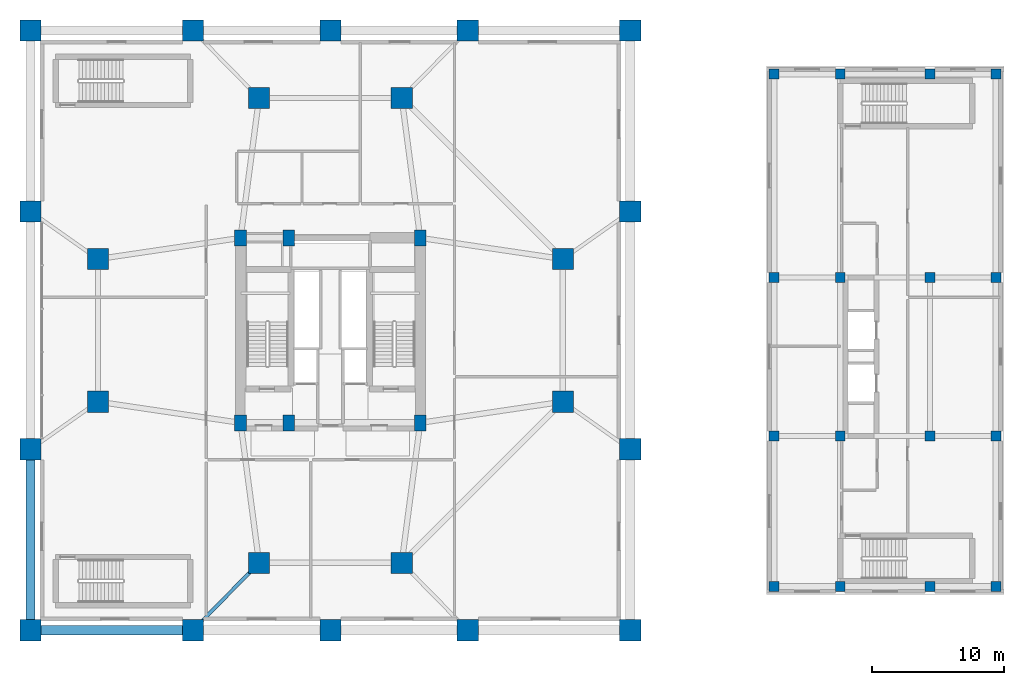
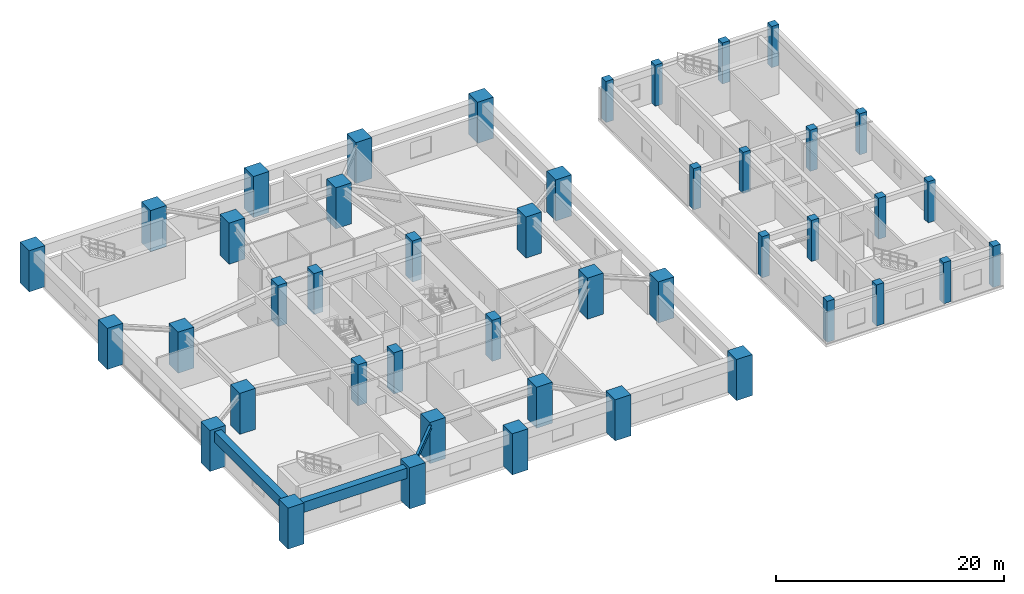
# One storey, part 1 of 16: 44 columns, 3 beams.
"""IFC4 building model written with IfcOpenShell, lengths in metres."""

from ifc_helpers import new_model, si_unit, direction, frame, origin, origin_2d, place, context, subcontext, project, spatial, rectangle, i_section, extrude, material, material_profile, profile_set, type_object, element, save


model = new_model("IFC4")

# Units and contexts
model_context = context("Model", 3, precision=1e-05, world=origin(), true_north=direction((0.0, 1.0)))
body_context = subcontext(model_context, "Body", "Model", "MODEL_VIEW")
ifc_project = project(units=[si_unit("LENGTHUNIT", "METRE"), si_unit("AREAUNIT", "SQUARE_METRE"), si_unit("VOLUMEUNIT", "CUBIC_METRE"), si_unit("PLANEANGLEUNIT", "RADIAN"), si_unit("MASSUNIT", "GRAM", prefix="KILO")], contexts=[model_context])

# Site, building, storey
site_placement = place(None, origin())
site = spatial("IfcSite", under=ifc_project, at=site_placement, CompositionType="ELEMENT")
building_placement = place(site_placement, origin())
building = spatial("IfcBuilding", under=site, at=building_placement, Name="Veraguas Prism Commons", CompositionType="ELEMENT")
storey_placement = place(building_placement, frame((0.0, 0.0, 14.0)))
storey = spatial("IfcBuildingStorey", under=building, at=storey_placement, Name="L03", CompositionType="ELEMENT", Elevation=14.0)

# Columns
ifc_material_1 = material(Name="Concrete C50/60", Category="concrete")
ifc_material_profile_1 = material_profile(ifc_material_1, rectangle(XDim=0.75, YDim=0.75, at=origin_2d()), Name="RC750X750")
ifc_profile_set_1 = profile_set([ifc_material_profile_1], Name="Concrete C50/60")
column_type_1 = type_object("IfcColumnType", Name="Column Clinic RC 750x750", PredefinedType="COLUMN", material=ifc_profile_set_1)
for number, where, z_axis, x_axis, name in (
    (1, (57.60009765625, 4.60009765625, 0.0), (0.0, 0.0, 1.0), (1.0, 0.0, 0.0), "Health Centre Column L03-HC01"),
    (2, (57.60009765625, 16.0, 0.0), (0.0, 0.0, 1.0), (1.0, 0.0, 0.0), "Health Centre Column L03-HC02"),
    (3, (57.60009765625, 28.0, 0.0), (0.0, 0.0, 1.0), (1.0, 0.0, 0.0), "Health Centre Column L03-HC03"),
    (4, (57.60009765625, 43.39990234375, 0.0), (0.0, 0.0, 1.0), (1.0, 0.0, 0.0), "Health Centre Column L03-HC04"),
    (5, (62.60009765625, 4.60009765625, 0.0), (0.0, 0.0, 1.0), (1.0, 0.0, 0.0), "Health Centre Column L03-HC05"),
    (6, (62.60009765625, 16.0, 0.0), (0.0, 0.0, 1.0), (1.0, 0.0, 0.0), "Health Centre Column L03-HC06"),
    (7, (62.60009765625, 28.0, 0.0), (0.0, 0.0, 1.0), (1.0, 0.0, 0.0), "Health Centre Column L03-HC07"),
    (8, (62.60009765625, 43.39990234375, 0.0), (0.0, 0.0, 1.0), (1.0, 0.0, 0.0), "Health Centre Column L03-HC08"),
    (9, (69.39990234375, 4.60009765625, 0.0), (0.0, 0.0, 1.0), (1.0, 0.0, 0.0), "Health Centre Column L03-HC09"),
    (10, (69.39990234375, 16.0, 0.0), (0.0, 0.0, 1.0), (1.0, 0.0, 0.0), "Health Centre Column L03-HC10"),
    (11, (69.39990234375, 28.0, 0.0), (0.0, 0.0, 1.0), (1.0, 0.0, 0.0), "Health Centre Column L03-HC11"),
    (12, (69.39990234375, 43.39990234375, 0.0), (0.0, 0.0, 1.0), (1.0, 0.0, 0.0), "Health Centre Column L03-HC12"),
    (13, (74.39990234375, 4.60009765625, 0.0), (0.0, 0.0, 1.0), (1.0, 0.0, 0.0), "Health Centre Column L03-HC13"),
    (14, (74.39990234375, 16.0, 0.0), (0.0, 0.0, 1.0), (1.0, 0.0, 0.0), "Health Centre Column L03-HC14"),
    (15, (74.39990234375, 28.0, 0.0), (0.0, 0.0, 1.0), (1.0, 0.0, 0.0), "Health Centre Column L03-HC15"),
    (16, (74.39990234375, 43.39990234375, 0.0), (0.0, 0.0, 1.0), (1.0, 0.0, 0.0), "Health Centre Column L03-HC16"),
):
    element("IfcColumn", number, at=place(storey_placement, frame(where, z_axis=z_axis, x_axis=x_axis)), inside=storey, type_object=column_type_1, Name=name, PredefinedType="COLUMN", context=body_context, shape_type="SweptSolid", body=[
        extrude(rectangle(XDim=0.75, YDim=0.75, at=origin_2d()), origin(), (0.0, 0.0, 1.0), 4.39990234375),
    ])
ifc_material_2 = material(Name="Concrete C60/75", Category="concrete")
ifc_material_profile_2 = material_profile(ifc_material_2, rectangle(XDim=1.60009765625, YDim=1.60009765625, at=origin_2d()), Name="RC1600X1600")
ifc_profile_set_2 = profile_set([ifc_material_profile_2], Name="Concrete C60/75")
column_type_2 = type_object("IfcColumnType", Name="Column Mega RC 1600x1600", PredefinedType="COLUMN", material=ifc_profile_set_2)
for number, where, z_axis, x_axis, name in (
    (17, (1.300048828125, 1.300048828125, 0.0), (0.0, 0.0, 1.0), (1.0, 0.0, 0.0), "Podium Mega Column L03-PD01"),
    (18, (13.60009765625, 1.300048828125, 0.0), (0.0, 0.0, 1.0), (1.0, 0.0, 0.0), "Podium Mega Column L03-PD02"),
    (19, (24.0, 1.300048828125, 0.0), (0.0, 0.0, 1.0), (1.0, 0.0, 0.0), "Podium Mega Column L03-PD03"),
    (20, (34.39990234375, 1.300048828125, 0.0), (0.0, 0.0, 1.0), (1.0, 0.0, 0.0), "Podium Mega Column L03-PD04"),
    (21, (46.699951171875, 1.300048828125, 0.0), (0.0, 0.0, 1.0), (1.0, 0.0, 0.0), "Podium Mega Column L03-PD05"),
    (22, (1.300048828125, 15.0, 0.0), (0.0, 0.0, 1.0), (1.0, 0.0, 0.0), "Podium Mega Column L03-PD06"),
    (23, (46.699951171875, 15.0, 0.0), (0.0, 0.0, 1.0), (1.0, 0.0, 0.0), "Podium Mega Column L03-PD07"),
    (24, (1.300048828125, 33.0, 0.0), (0.0, 0.0, 1.0), (1.0, 0.0, 0.0), "Podium Mega Column L03-PD08"),
    (25, (46.699951171875, 33.0, 0.0), (0.0, 0.0, 1.0), (1.0, 0.0, 0.0), "Podium Mega Column L03-PD09"),
    (26, (1.300048828125, 46.699951171875, 0.0), (0.0, 0.0, 1.0), (1.0, 0.0, 0.0), "Podium Mega Column L03-PD10"),
    (27, (13.60009765625, 46.699951171875, 0.0), (0.0, 0.0, 1.0), (1.0, 0.0, 0.0), "Podium Mega Column L03-PD11"),
    (28, (24.0, 46.699951171875, 0.0), (0.0, 0.0, 1.0), (1.0, 0.0, 0.0), "Podium Mega Column L03-PD12"),
    (29, (34.39990234375, 46.699951171875, 0.0), (0.0, 0.0, 1.0), (1.0, 0.0, 0.0), "Podium Mega Column L03-PD13"),
    (30, (46.699951171875, 46.699951171875, 0.0), (0.0, 0.0, 1.0), (1.0, 0.0, 0.0), "Podium Mega Column L03-PD14"),
    (31, (41.60009765625, 18.60009765625, 0.0), (0.0, 0.0, 1.0), (1.0, 0.0, 0.0), "Tower Mega Column L03-TM01"),
    (32, (41.60009765625, 29.39990234375, 0.0), (0.0, 0.0, 1.0), (1.0, 0.0, 0.0), "Tower Mega Column L03-TM02"),
    (33, (29.39990234375, 41.60009765625, 0.0), (0.0, 0.0, 1.0), (1.0, 0.0, 0.0), "Tower Mega Column L03-TM03"),
    (34, (18.60009765625, 41.60009765625, 0.0), (0.0, 0.0, 1.0), (1.0, 0.0, 0.0), "Tower Mega Column L03-TM04"),
    (35, (6.39990234375, 29.39990234375, 0.0), (0.0, 0.0, 1.0), (1.0, 0.0, 0.0), "Tower Mega Column L03-TM05"),
    (36, (6.39990234375, 18.60009765625, 0.0), (0.0, 0.0, 1.0), (1.0, 0.0, 0.0), "Tower Mega Column L03-TM06"),
    (37, (18.60009765625, 6.39990234375, 0.0), (0.0, 0.0, 1.0), (1.0, 0.0, 0.0), "Tower Mega Column L03-TM07"),
    (38, (29.39990234375, 6.39990234375, 0.0), (0.0, 0.0, 1.0), (1.0, 0.0, 0.0), "Tower Mega Column L03-TM08"),
):
    element("IfcColumn", number, at=place(storey_placement, frame(where, z_axis=z_axis, x_axis=x_axis)), inside=storey, type_object=column_type_2, Name=name, PredefinedType="COLUMN", context=body_context, shape_type="SweptSolid", body=[
        extrude(rectangle(XDim=1.60009765625, YDim=1.60009765625, at=origin_2d()), origin(), (0.0, 0.0, 1.0), 4.39990234375),
    ])
ifc_material_profile_3 = material_profile(ifc_material_2, rectangle(XDim=0.89990234375, YDim=1.199951171875, at=origin_2d()), Name="RC900X1200")
ifc_profile_set_3 = profile_set([ifc_material_profile_3], Name="Concrete C60/75")
column_type_3 = type_object("IfcColumnType", Name="Pilaster Core Lower RC 900x1200", PredefinedType="PILASTER", material=ifc_profile_set_3)
for number, where, z_axis, x_axis, name in (
    (39, (17.199951171875, 17.0, 0.0), (0.0, 0.0, 1.0), (1.0, 0.0, 0.0), "Core Pilaster Column L03-CR1"),
    (40, (20.85009765625, 17.0, 0.0), (0.0, 0.0, 1.0), (1.0, 0.0, 0.0), "Core Pilaster Column L03-CR2"),
    (41, (30.800048828125, 17.0, 0.0), (0.0, 0.0, 1.0), (1.0, 0.0, 0.0), "Core Pilaster Column L03-CR3"),
    (42, (17.199951171875, 31.0, 0.0), (0.0, 0.0, 1.0), (1.0, 0.0, 0.0), "Core Pilaster Column L03-CR4"),
    (43, (20.85009765625, 31.0, 0.0), (0.0, 0.0, 1.0), (1.0, 0.0, 0.0), "Core Pilaster Column L03-CR5"),
    (44, (30.800048828125, 31.0, 0.0), (0.0, 0.0, 1.0), (1.0, 0.0, 0.0), "Core Pilaster Column L03-CR6"),
):
    element("IfcColumn", number, at=place(storey_placement, frame(where, z_axis=z_axis, x_axis=x_axis)), inside=storey, type_object=column_type_3, Name=name, PredefinedType="PILASTER", context=body_context, shape_type="SweptSolid", body=[
        extrude(rectangle(XDim=0.89990234375, YDim=1.199951171875, at=origin_2d()), origin(), (0.0, 0.0, 1.0), 4.39990234375),
    ])

# Beams
ifc_material_3 = material(Name="Steel ASTM A992 Grade 50", Category="steel")
ifc_material_profile_4 = material_profile(ifc_material_3, i_section(OverallWidth=0.260986328125, OverallDepth=0.419921875, WebThickness=0.01171875, FlangeThickness=0.019287109375, at=origin_2d()), Name="W410X114")
ifc_profile_set_4 = profile_set([ifc_material_profile_4], Name="Steel ASTM A992 Grade 50")
beam_type_1 = type_object("IfcBeamType", Name="Lower Floor Joist W410x114", PredefinedType="JOIST", material=ifc_profile_set_4)
beam_1_placement = place(storey_placement, frame((18.60009765625, 6.39990234375, 3.889892578125), z_axis=(-0.700081663946, -0.71406278702, 0.0), x_axis=(0.71406278702, -0.700081663946, 0.0)))
element("IfcBeam", 45, at=beam_1_placement, inside=storey, type_object=beam_type_1, Name="Podium Tie Beam L03-TMT07", PredefinedType="JOIST", context=body_context, shape_type="SweptSolid", body=[
    extrude(i_section(OverallWidth=0.260986328125, OverallDepth=0.419921875, WebThickness=0.01171875, FlangeThickness=0.019287109375, at=origin_2d()), origin(), (0.0, 0.0, 1.0), 7.14208984375),
])
ifc_material_profile_5 = material_profile(ifc_material_1, rectangle(XDim=0.699951171875, YDim=1.10009765625, at=origin_2d()), Name="RC700X1100")
ifc_profile_set_5 = profile_set([ifc_material_profile_5], Name="Concrete C50/60")
beam_type_2 = type_object("IfcBeamType", Name="Podium Primary Girder RC 700x1100", PredefinedType="BEAM", material=ifc_profile_set_5)
beam_2_placement = place(storey_placement, frame((1.300048828125, 1.300048828125, 3.550048828125), z_axis=(1.0, 0.0, 0.0), x_axis=(0.0, 1.0, 0.0)))
element("IfcBeam", 46, at=beam_2_placement, inside=storey, type_object=beam_type_2, Name="Podium Perimeter Girder L03-PDR01", PredefinedType="BEAM", context=body_context, shape_type="SweptSolid", body=[
    extrude(rectangle(XDim=0.699951171875, YDim=1.10009765625, at=origin_2d()), origin(), (0.0, 0.0, 1.0), 12.300048828125),
])
beam_3_placement = place(storey_placement, frame((1.300048828125, 15.0, 3.550048828125), z_axis=(0.0, -1.0, 0.0), x_axis=(1.0, 0.0, 0.0)))
element("IfcBeam", 47, at=beam_3_placement, inside=storey, type_object=beam_type_2, Name="Podium Perimeter Girder L03-PDR14", PredefinedType="BEAM", context=body_context, shape_type="SweptSolid", body=[
    extrude(rectangle(XDim=0.699951171875, YDim=1.10009765625, at=origin_2d()), origin(), (0.0, 0.0, 1.0), 13.699951171875),
])

save(model, "model.ifc")
